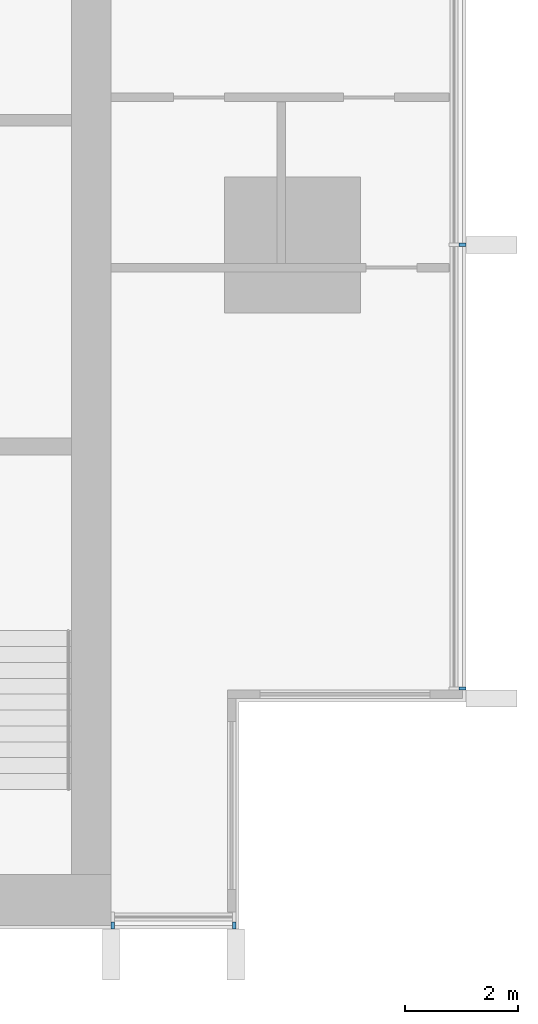
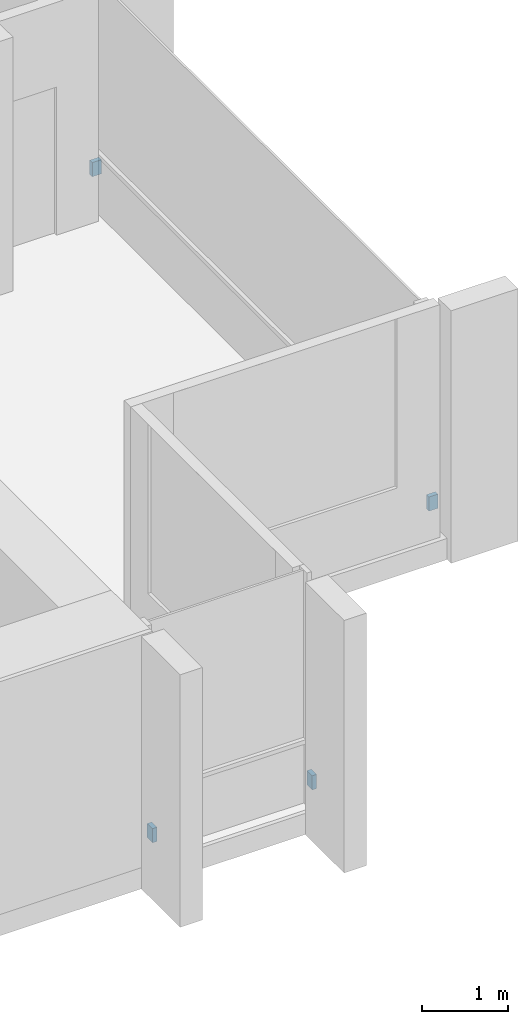
# One storey, part 13 of 16: 4 discrete accessories.
"""IFC4 building model written with IfcOpenShell, lengths in metres."""

from ifc_helpers import new_model, si_unit, direction, frame, origin, origin_2d, place, context, subcontext, project, spatial, rectangle, extrude, material, type_object, element, save


model = new_model("IFC4")

# Units and contexts
model_context = context("Model", 3, precision=1e-05, world=origin(), true_north=direction((0.0, 1.0)))
body_context = subcontext(model_context, "Body", "Model", "MODEL_VIEW")
ifc_project = project(units=[si_unit("LENGTHUNIT", "METRE"), si_unit("AREAUNIT", "SQUARE_METRE"), si_unit("VOLUMEUNIT", "CUBIC_METRE"), si_unit("PLANEANGLEUNIT", "RADIAN"), si_unit("MASSUNIT", "GRAM", prefix="KILO")], contexts=[model_context])

# Site, building, storey
site_placement = place(None, origin())
site = spatial("IfcSite", under=ifc_project, at=site_placement, CompositionType="ELEMENT")
building_placement = place(site_placement, origin())
building = spatial("IfcBuilding", under=site, at=building_placement, Name="Finial Court Residences", CompositionType="ELEMENT")
storey_placement = place(building_placement, frame((0.0, 0.0, 185.300048828125)))
storey = spatial("IfcBuildingStorey", under=building, at=storey_placement, Name="L46", CompositionType="ELEMENT", Elevation=185.300048828125)

# Discrete accessories
ifc_material = material(Name="Stainless steel 316", Category="steel")
discrete_accessory_type = type_object("IfcDiscreteAccessoryType", Name="Fin bracket, stainless steel 60 x 122 x 200", PredefinedType="BRACKET", material=ifc_material)
for number, where, z_axis, x_axis, name in (
    (1, (19.498779296875, -21.320068359375, 0.2998046875), (0.0, 0.0, 1.0), (1.0, 0.0, 0.0), "E-L46-FIN-E7-BRK"),
    (2, (19.498779296875, -13.5, 0.2998046875), (0.0, 0.0, 1.0), (1.0, 0.0, 0.0), "E-L46-FIN-E8-BRK"),
):
    element("IfcDiscreteAccessory", number, at=place(storey_placement, frame(where, z_axis=z_axis, x_axis=x_axis)), inside=storey, type_object=discrete_accessory_type, Name=name, PredefinedType="BRACKET", context=body_context, shape_type="SweptSolid", body=[
        extrude(rectangle(XDim=0.12255859375, YDim=0.06005859375, at=origin_2d()), origin(), (0.0, 0.0, 1.0), 0.199951171875),
    ])
for number, where, z_axis, x_axis, name in (
    (3, (13.330078125, -25.498779296875, 0.2998046875), (0.0, 0.0, 1.0), (1.0, 0.0, 0.0), "E-L46-FIN-S20-BRK"),
    (4, (15.469970703125, -25.498779296875, 0.2998046875), (0.0, 0.0, 1.0), (1.0, 0.0, 0.0), "E-L46-FIN-S21-BRK"),
):
    element("IfcDiscreteAccessory", number, at=place(storey_placement, frame(where, z_axis=z_axis, x_axis=x_axis)), inside=storey, type_object=discrete_accessory_type, Name=name, PredefinedType="BRACKET", context=body_context, shape_type="SweptSolid", body=[
        extrude(rectangle(XDim=0.06005859375, YDim=0.12255859375, at=origin_2d()), origin(), (0.0, 0.0, 1.0), 0.199951171875),
    ])

save(model, "model.ifc")
